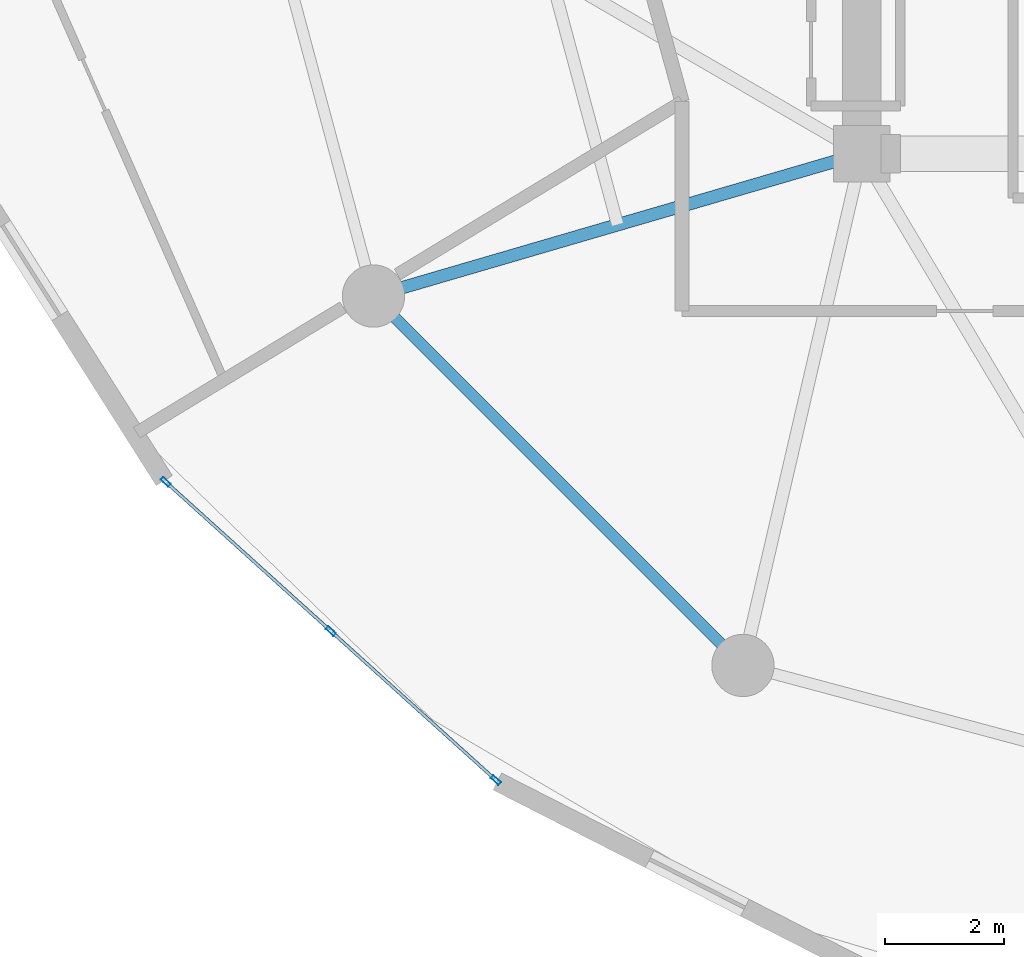
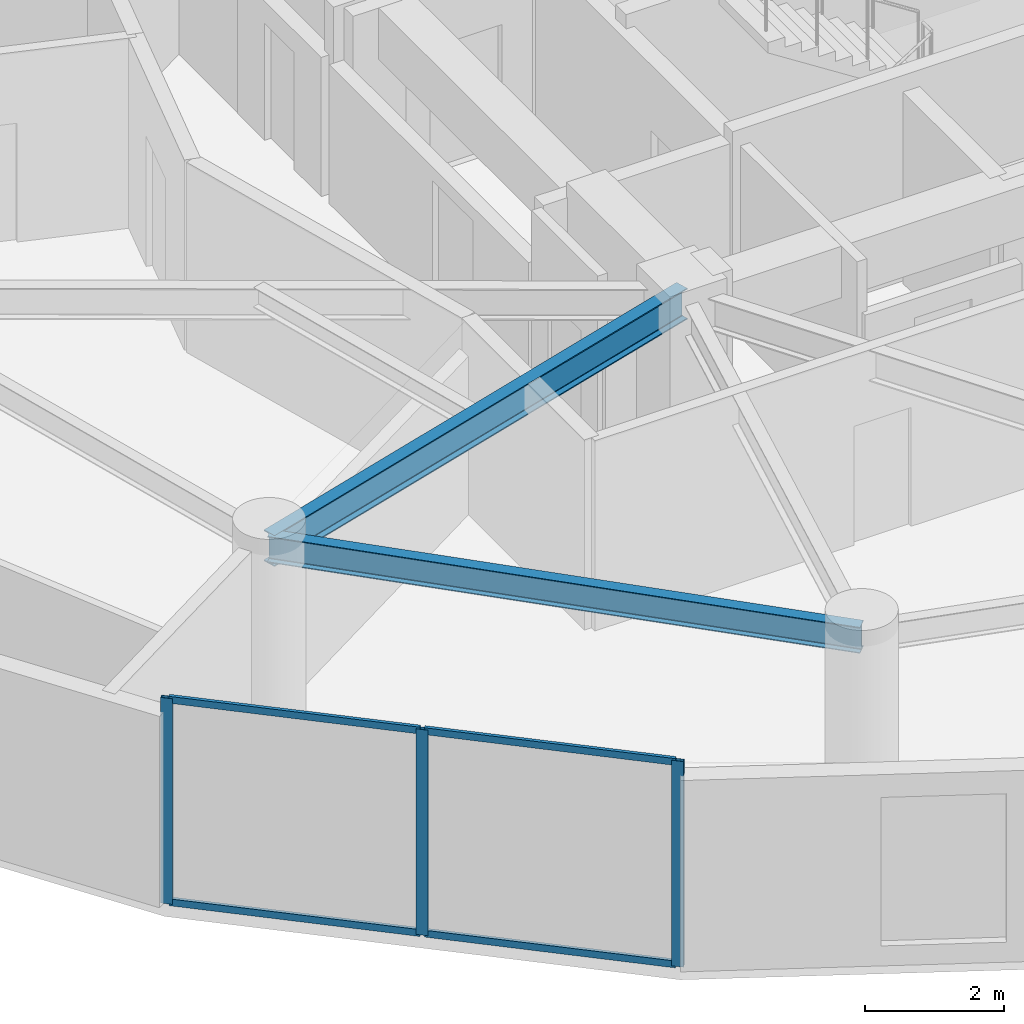
# One storey, part 2 of 25: 7 members, 2 beams, 1 element without a shape of its own.
"""IFC4 building model written with IfcOpenShell, lengths in metres."""

from ifc_helpers import new_model, si_unit, direction, frame, origin, origin_2d, place, context, subcontext, project, spatial, hollow_rectangle, i_section, extrude, source, transform, mapped, material, layer, layer_set, material_profile, profile_set, type_object, element, aggregate, save


model = new_model("IFC4")

# Units and contexts
model_context = context("Model", 3, precision=1e-05, world=origin(), true_north=direction((0.0, 1.0)))
body_context = subcontext(model_context, "Body", "Model", "MODEL_VIEW")
ifc_project = project(units=[si_unit("LENGTHUNIT", "METRE"), si_unit("AREAUNIT", "SQUARE_METRE"), si_unit("VOLUMEUNIT", "CUBIC_METRE"), si_unit("PLANEANGLEUNIT", "RADIAN"), si_unit("MASSUNIT", "GRAM", prefix="KILO")], contexts=[model_context])

# Site, building, storey
site_placement = place(None, origin())
site = spatial("IfcSite", under=ifc_project, at=site_placement, CompositionType="ELEMENT")
building_placement = place(site_placement, origin())
building = spatial("IfcBuilding", under=site, at=building_placement, Name="Solvirekh Grand Hotel", CompositionType="ELEMENT")
storey_placement = place(building_placement, frame((0.0, 0.0, 117.0)))
storey = spatial("IfcBuildingStorey", under=building, at=storey_placement, Name="L29", CompositionType="ELEMENT", Elevation=117.0)

# Beams
ifc_material_1 = material(Name="Steel S355", Category="steel")
ifc_material_profile_1 = material_profile(ifc_material_1, i_section(OverallWidth=0.2119140625, OverallDepth=0.5439453125, WebThickness=0.011962890625, FlangeThickness=0.01904296875, FilletRadius=0.013916015625, at=origin_2d()), Name="W530X123")
ifc_profile_set_1 = profile_set([ifc_material_profile_1], Name="Steel S355")
beam_type_1 = type_object("IfcBeamType", Name="Beam_Radial_W530H", PredefinedType="BEAM", material=ifc_profile_set_1)
beam_1_placement = place(storey_placement, frame((-6.5, -6.10009765625, 3.077880859375), z_axis=(-0.959942195467, -0.28019811092, 0.0), x_axis=(0.28019811092, -0.959942195467, 0.0)))
element("IfcBeam", 1, at=beam_1_placement, inside=storey, type_object=beam_type_1, Name="L29 radial floor beam R08", PredefinedType="BEAM", context=body_context, shape_type="SweptSolid", body=[
    extrude(i_section(OverallWidth=0.2119140625, OverallDepth=0.5439453125, WebThickness=0.011962890625, FlangeThickness=0.01904296875, FilletRadius=0.013916015625, at=origin_2d()), origin(), (0.0, 0.0, 1.0), 8.56494140625),
])
ifc_material_profile_2 = material_profile(ifc_material_1, i_section(OverallWidth=0.18994140625, OverallDepth=0.45703125, WebThickness=0.009033203125, FlangeThickness=0.013916015625, FilletRadius=0.012939453125, at=origin_2d()), Name="W460X74")
ifc_profile_set_2 = profile_set([ifc_material_profile_2], Name="Steel S355")
beam_type_2 = type_object("IfcBeamType", Name="Spandrel_Ring_W460", PredefinedType="SPANDREL", material=ifc_profile_set_2)
beam_2_placement = place(storey_placement, frame((-14.721923828125, -8.5, 3.12109375), z_axis=(0.707106781187, -0.707106781187, 0.0), x_axis=(0.707106781187, 0.707106781187, 0.0)))
element("IfcBeam", 2, at=beam_2_placement, inside=storey, type_object=beam_type_2, Name="L29 perimeter spandrel beam 8", PredefinedType="SPANDREL", context=body_context, shape_type="SweptSolid", body=[
    extrude(i_section(OverallWidth=0.18994140625, OverallDepth=0.45703125, WebThickness=0.009033203125, FlangeThickness=0.013916015625, FilletRadius=0.012939453125, at=origin_2d()), origin(), (0.0, 0.0, 1.0), 8.799072265625),
])

# Curtain wall, members
ifc_material_2 = material(Name="Anodized Bronze Aluminium 6063-T6", Category="aluminium")
ifc_layer = layer(ifc_material_2, 0.175048828125)
ifc_layer_set = layer_set([ifc_layer], Name="Anodized Bronze Aluminium 6063-T6")
curtain_wall_type = type_object("IfcCurtainWallType", Name="CW_Sys3_MidZoneFlushBronzeCW", PredefinedType="NOTDEFINED", material=ifc_layer_set)
curtain_wall_placement = place(storey_placement, origin())
curtain_wall = element("IfcCurtainWall", 3, at=curtain_wall_placement, inside=storey, type_object=curtain_wall_type, Name="L29 unitised bronze-glass curtain wall CW-L29-C15", PredefinedType="NOTDEFINED")
ifc_material_profile_3 = material_profile(ifc_material_2, hollow_rectangle(XDim=0.06494140625, YDim=0.175048828125, WallThickness=0.0048828125, at=origin_2d()), Name="ALU RHS 175X65X5")
ifc_profile_set_3 = profile_set([ifc_material_profile_3], Name="Anodized Bronze Aluminium 6063-T6")
member_type_1 = type_object("IfcMemberType", Name="CWMullion_Sys3", PredefinedType="MULLION", material=ifc_profile_set_3)
shared_shape_1 = source(origin(), body_context, "Body", "SweptSolid", [
    extrude(hollow_rectangle(XDim=0.06494140625, YDim=0.175048828125, WallThickness=0.0048828125, at=origin_2d()), origin(), (0.0, 0.0, 1.0), 3.60009765625),
])
member_1_placement = place(storey_placement, frame((-18.221923828125, -11.630859375, 0.0), z_axis=(0.0, 0.0, 1.0), x_axis=(0.670417849666, 0.741983764546, 0.0)))
member_1 = element("IfcMember", 4, at=member_1_placement, type_object=member_type_1, Name="U03 mullion 1", PredefinedType="MULLION", context=body_context, shape_type="MappedRepresentation", body=[
    mapped(shared_shape_1, transform((0.0, 0.0, 0.0), x_axis=(1.0, 0.0, 0.0), y_axis=(0.0, 1.0, 0.0), z_axis=(0.0, 0.0, 1.0), scale=1.0)),
])
member_2_placement = place(storey_placement, frame((-15.44140625, -14.14306640625, 0.0), z_axis=(0.0, 0.0, 1.0), x_axis=(0.670417849666, 0.741983764546, 0.0)))
member_2 = element("IfcMember", 5, at=member_2_placement, type_object=member_type_1, Name="U03 mullion 2", PredefinedType="MULLION", context=body_context, shape_type="MappedRepresentation", body=[
    mapped(shared_shape_1, transform((0.0, 0.0, 0.0), x_axis=(1.0, 0.0, 0.0), y_axis=(0.0, 1.0, 0.0), z_axis=(0.0, 0.0, 1.0), scale=1.0)),
])
member_3_placement = place(storey_placement, frame((-12.6611328125, -16.6552734375, 0.0), z_axis=(0.0, 0.0, 1.0), x_axis=(0.670417849666, 0.741983764546, 0.0)))
member_3 = element("IfcMember", 6, at=member_3_placement, type_object=member_type_1, Name="U03 mullion 3", PredefinedType="MULLION", context=body_context, shape_type="MappedRepresentation", body=[
    mapped(shared_shape_1, transform((0.0, 0.0, 0.0), x_axis=(1.0, 0.0, 0.0), y_axis=(0.0, 1.0, 0.0), z_axis=(0.0, 0.0, 1.0), scale=1.0)),
])
ifc_material_profile_4 = material_profile(ifc_material_2, hollow_rectangle(XDim=0.054931640625, YDim=0.1201171875, WallThickness=0.00390625, at=origin_2d()), Name="ALU RHS 120X55X4")
ifc_profile_set_4 = profile_set([ifc_material_profile_4], Name="Anodized Bronze Aluminium 6063-T6")
member_type_2 = type_object("IfcMemberType", Name="CWTransom_Sys3", PredefinedType="USERDEFINED", material=ifc_profile_set_4)
shared_shape_2 = source(origin(), body_context, "Body", "SweptSolid", [
    extrude(hollow_rectangle(XDim=0.054931640625, YDim=0.1201171875, WallThickness=0.00390625, at=origin_2d()), origin(), (0.0, 0.0, 1.0), 3.68212890625),
])
member_4_placement = place(storey_placement, frame((-18.19775390625, -11.652587890625, 0.027587890625), z_axis=(0.742003692203, -0.670395794108, 0.0), x_axis=(0.670395794108, 0.742003692203, 0.0)))
member_4 = element("IfcMember", 7, at=member_4_placement, type_object=member_type_2, Name="U03 transom 1.1", ObjectType="TRANSOM", PredefinedType="USERDEFINED", context=body_context, shape_type="MappedRepresentation", body=[
    mapped(shared_shape_2, transform((0.0, 0.0, 0.0), x_axis=(1.0, 0.0, 0.0), y_axis=(0.0, 1.0, 0.0), z_axis=(0.0, 0.0, 1.0), scale=1.0)),
])
member_5_placement = place(storey_placement, frame((-18.19775390625, -11.652587890625, 3.572509765625), z_axis=(0.742003692203, -0.670395794108, 0.0), x_axis=(0.670395794108, 0.742003692203, 0.0)))
member_5 = element("IfcMember", 8, at=member_5_placement, type_object=member_type_2, Name="U03 transom 1.2", ObjectType="TRANSOM", PredefinedType="USERDEFINED", context=body_context, shape_type="MappedRepresentation", body=[
    mapped(shared_shape_2, transform((0.0, 0.0, 0.0), x_axis=(1.0, 0.0, 0.0), y_axis=(0.0, 1.0, 0.0), z_axis=(0.0, 0.0, 1.0), scale=1.0)),
])
member_6_placement = place(storey_placement, frame((-15.41748046875, -14.164794921875, 0.027587890625), z_axis=(0.742003692203, -0.670395794108, 0.0), x_axis=(0.670395794108, 0.742003692203, 0.0)))
member_6 = element("IfcMember", 9, at=member_6_placement, type_object=member_type_2, Name="U03 transom 2.1", ObjectType="TRANSOM", PredefinedType="USERDEFINED", context=body_context, shape_type="MappedRepresentation", body=[
    mapped(shared_shape_2, transform((0.0, 0.0, 0.0), x_axis=(1.0, 0.0, 0.0), y_axis=(0.0, 1.0, 0.0), z_axis=(0.0, 0.0, 1.0), scale=1.0)),
])
member_7_placement = place(storey_placement, frame((-15.41748046875, -14.164794921875, 3.572509765625), z_axis=(0.742003692203, -0.670395794108, 0.0), x_axis=(0.670395794108, 0.742003692203, 0.0)))
member_7 = element("IfcMember", 10, at=member_7_placement, type_object=member_type_2, Name="U03 transom 2.2", ObjectType="TRANSOM", PredefinedType="USERDEFINED", context=body_context, shape_type="MappedRepresentation", body=[
    mapped(shared_shape_2, transform((0.0, 0.0, 0.0), x_axis=(1.0, 0.0, 0.0), y_axis=(0.0, 1.0, 0.0), z_axis=(0.0, 0.0, 1.0), scale=1.0)),
])
aggregate(curtain_wall, [member_1, member_2, member_3, member_4, member_5, member_6, member_7])

save(model, "model.ifc")
